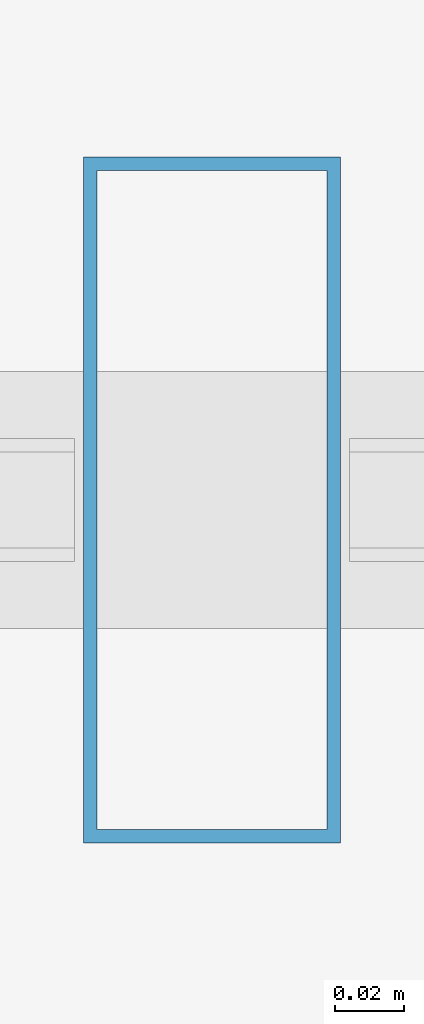
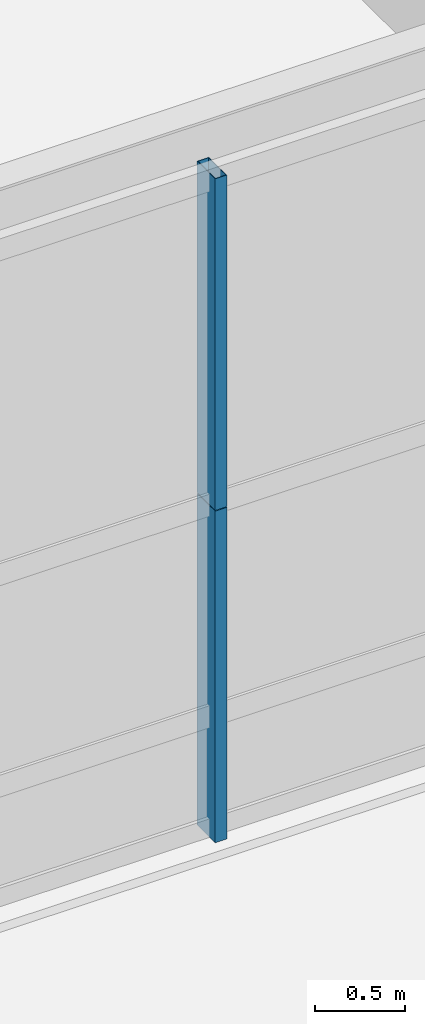
# One storey, part 7 of 37: 2 members, 1 element without a shape of its own.
"""IFC4 building model written with IfcOpenShell, lengths in metres."""

from ifc_helpers import new_model, si_unit, direction, frame, origin, origin_2d, place, context, subcontext, project, spatial, hollow_rectangle, extrude, source, transform, mapped, material, layer, layer_set, material_profile, profile_set, type_object, element, aggregate, save


model = new_model("IFC4")

# Units and contexts
model_context = context("Model", 3, precision=1e-05, world=origin(), true_north=direction((0.0, 1.0)))
body_context = subcontext(model_context, "Body", "Model", "MODEL_VIEW")
ifc_project = project(units=[si_unit("LENGTHUNIT", "METRE"), si_unit("AREAUNIT", "SQUARE_METRE"), si_unit("VOLUMEUNIT", "CUBIC_METRE"), si_unit("PLANEANGLEUNIT", "RADIAN"), si_unit("MASSUNIT", "GRAM", prefix="KILO"), si_unit("THERMODYNAMICTEMPERATUREUNIT", "KELVIN"), si_unit("POWERUNIT", "WATT")], contexts=[model_context])

# Site, building, storey
site_placement = place(None, origin())
site = spatial("IfcSite", under=ifc_project, at=site_placement, CompositionType="ELEMENT")
building_placement = place(site_placement, origin())
building = spatial("IfcBuilding", under=site, at=building_placement, Name="Yuzanri Waterfront Tower", CompositionType="ELEMENT")
storey_placement = place(building_placement, frame((0.0, 0.0, 5.39990234375)))
storey = spatial("IfcBuildingStorey", under=building, at=storey_placement, Name="L02", CompositionType="ELEMENT", Elevation=5.39990234375)

# Curtain wall, members
ifc_material_1 = material(Name="Anodized Architectural Bronze", Category="metal")
ifc_layer = layer(ifc_material_1, 0.159912109375)
ifc_layer_set = layer_set([ifc_layer], Name="Anodized Architectural Bronze")
curtain_wall_type = type_object("IfcCurtainWallType", Name="Anodized Bronze Podium Waterfront Double-Height Unitized Curtain Wall 8400", PredefinedType="NOTDEFINED", material=ifc_layer_set)
curtain_wall_placement = place(storey_placement, origin())
curtain_wall = element("IfcCurtainWall", 1, at=curtain_wall_placement, inside=storey, type_object=curtain_wall_type, Name="L02 Curtain Wall CW-L02-S1", PredefinedType="NOTDEFINED")
ifc_material_2 = material(Name="Anodized Architectural Bronze", Category="metal")
ifc_material_profile = material_profile(ifc_material_2, hollow_rectangle(XDim=0.074951171875, YDim=0.199951171875, WallThickness=0.00390625, at=origin_2d()), Name="CWM 75x200")
ifc_profile_set = profile_set([ifc_material_profile], Name="Anodized Architectural Bronze")
member_type = type_object("IfcMemberType", Name="Anodized Bronze Primary Curtain-Wall Mullion 75x200", PredefinedType="MULLION", material=ifc_profile_set)
shared_shape_1 = source(origin(), body_context, "Body", "SweptSolid", [
    extrude(hollow_rectangle(XDim=0.074951171875, YDim=0.199951171875, WallThickness=0.00390625, at=origin_2d()), origin(), (0.0, 0.0, 1.0), 2.258056640625),
])
member_1_placement = place(storey_placement, frame((26.25, 1.97998046875, 0.0), z_axis=(0.0, 0.0, 1.0), x_axis=(1.0, 0.0, 0.0)))
member_1 = element("IfcMember", 2, at=member_1_placement, type_object=member_type, Name="CW-L02-S1 Lower Mullion 01", PredefinedType="MULLION", context=body_context, shape_type="MappedRepresentation", body=[
    mapped(shared_shape_1, transform((0.0, 0.0, 0.0), scale=1.0)),
])
shared_shape_2 = source(origin(), body_context, "Body", "SweptSolid", [
    extrude(hollow_rectangle(XDim=0.074951171875, YDim=0.199951171875, WallThickness=0.00390625, at=origin_2d()), origin(), (0.0, 0.0, 1.0), 2.2578125),
])
member_2_placement = place(storey_placement, frame((26.25, 1.97998046875, 2.26220703125), z_axis=(0.0, 0.0, 1.0), x_axis=(1.0, 0.0, 0.0)))
member_2 = element("IfcMember", 3, at=member_2_placement, type_object=member_type, Name="CW-L02-S1 Upper Mullion 01", PredefinedType="MULLION", context=body_context, shape_type="MappedRepresentation", body=[
    mapped(shared_shape_2, transform((0.0, 0.0, 0.0), scale=1.0)),
])
aggregate(curtain_wall, [member_1, member_2])

save(model, "model.ifc")
